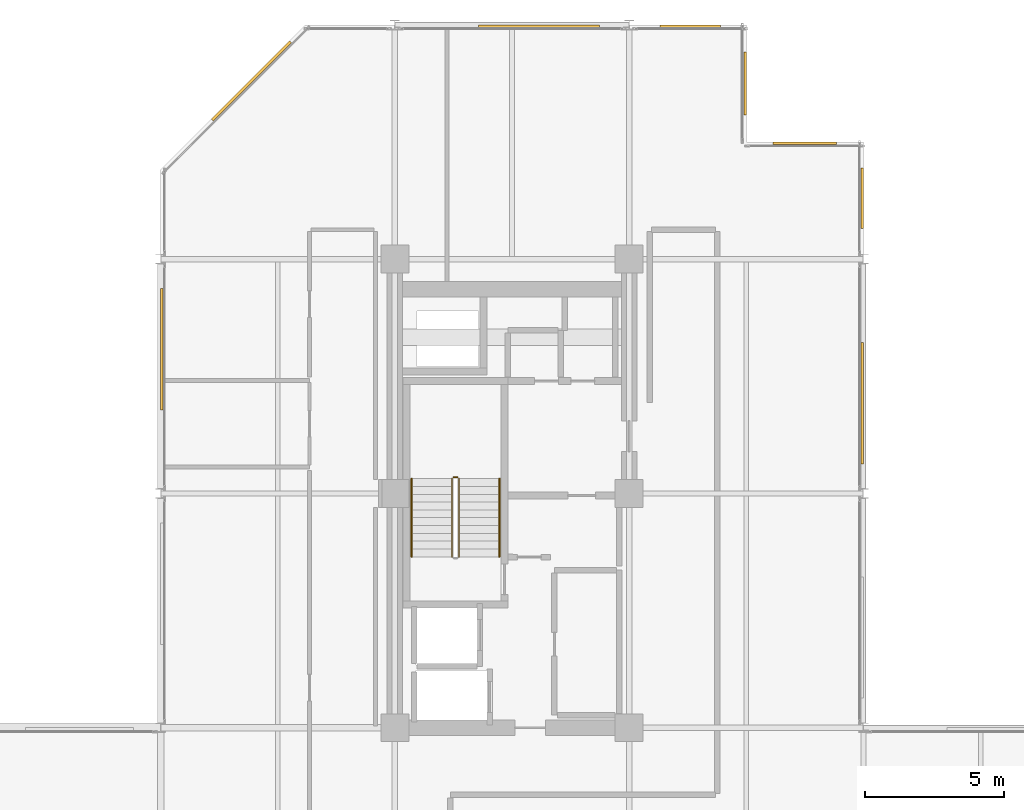
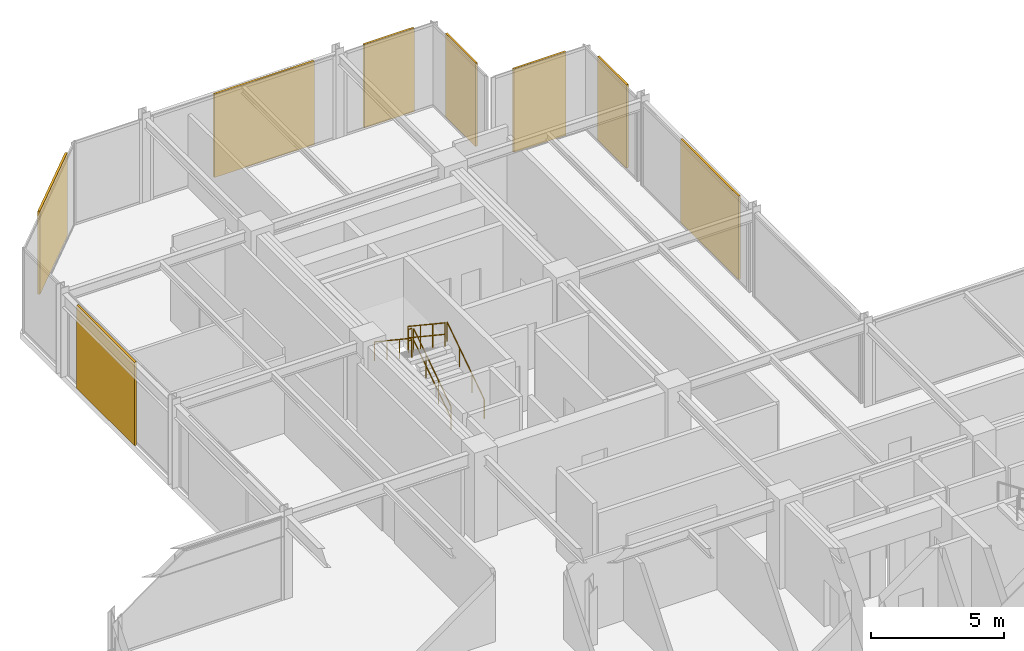
# One storey, part 29 of 29: 8 coverings, 5 railings.
"""IFC4 building model written with IfcOpenShell, lengths in metres."""

from ifc_helpers import new_model, si_unit, direction, frame, origin, origin_2d, place, context, subcontext, project, spatial, rectangle, circle, extrude, material, layer, layer_set, type_object, element, save


model = new_model("IFC4")

# Units and contexts
model_context = context("Model", 3, precision=1e-05, world=origin(), true_north=direction((0.0, 1.0)))
body_context = subcontext(model_context, "Body", "Model", "MODEL_VIEW")
ifc_project = project(units=[si_unit("LENGTHUNIT", "METRE"), si_unit("AREAUNIT", "SQUARE_METRE"), si_unit("VOLUMEUNIT", "CUBIC_METRE"), si_unit("PLANEANGLEUNIT", "RADIAN"), si_unit("MASSUNIT", "GRAM", prefix="KILO")], contexts=[model_context])

# Site, building, storey
site_placement = place(None, origin())
site = spatial("IfcSite", under=ifc_project, at=site_placement, CompositionType="ELEMENT")
building_placement = place(site_placement, origin())
building = spatial("IfcBuilding", under=site, at=building_placement, Name="Nerrivon Quay Data Exchange", CompositionType="ELEMENT")
storey_placement = place(building_placement, frame((0.0, 0.0, 175.5)))
storey = spatial("IfcBuildingStorey", under=building, at=storey_placement, Name="L41", CompositionType="ELEMENT", Elevation=175.5)

# Coverings
ifc_material_1 = material(Name="Architectural terracotta ceramic", Category="masonry")
ifc_layer = layer(ifc_material_1, 0.090087890625)
ifc_layer_set = layer_set([ifc_layer], Name="Architectural terracotta ceramic")
covering_type = type_object("IfcCoveringType", Name="COV-SCR-TERR", PredefinedType="CLADDING", material=ifc_layer_set)
covering_1_placement = place(storey_placement, frame((0.044921875, 38.76611328125, 0.0), z_axis=(0.0, 0.0, 1.0), x_axis=(0.0, 1.0, 0.0)))
element("IfcCovering", 1, at=covering_1_placement, inside=storey, type_object=covering_type, Name="L41 Perforated Terracotta SOLAR SCREEN Cassette", PredefinedType="CLADDING", context=body_context, shape_type="SweptSolid", body=[
    extrude(rectangle(XDim=4.346923828125, YDim=0.090087890625, at=origin_2d()), origin(), (0.0, 0.0, 1.0), 3.824951171875),
])
covering_2_placement = place(storey_placement, frame((3.255859375, 48.39208984375, 0.0), z_axis=(0.0, 0.0, 1.0), x_axis=(0.707106781187, 0.707106781187, 0.0)))
element("IfcCovering", 2, at=covering_2_placement, inside=storey, type_object=covering_type, Name="L41 Perforated Terracotta SOLAR SCREEN Cassette", PredefinedType="CLADDING", context=body_context, shape_type="SweptSolid", body=[
    extrude(rectangle(XDim=3.970947265625, YDim=0.090087890625, at=origin_2d()), origin(), (0.0, 0.0, 1.0), 3.824951171875),
])
covering_3_placement = place(storey_placement, frame((13.56591796875, 50.35498046875, 0.0), z_axis=(0.0, 0.0, 1.0), x_axis=(1.0, 0.0, 0.0)))
element("IfcCovering", 3, at=covering_3_placement, inside=storey, type_object=covering_type, Name="L41 Perforated Terracotta SOLAR SCREEN Cassette", PredefinedType="CLADDING", context=body_context, shape_type="SweptSolid", body=[
    extrude(rectangle(XDim=4.346923828125, YDim=0.090087890625, at=origin_2d()), origin(), (0.0, 0.0, 1.0), 3.824951171875),
])
covering_4_placement = place(storey_placement, frame((18.987548828125, 50.35498046875, 0.0), z_axis=(0.0, 0.0, 1.0), x_axis=(1.0, 0.0, 0.0)))
element("IfcCovering", 4, at=covering_4_placement, inside=storey, type_object=covering_type, Name="L41 Perforated Terracotta SOLAR SCREEN Cassette", PredefinedType="CLADDING", context=body_context, shape_type="SweptSolid", body=[
    extrude(rectangle(XDim=2.173095703125, YDim=0.090087890625, at=origin_2d()), origin(), (0.0, 0.0, 1.0), 3.824951171875),
])
for number, where, z_axis, x_axis, name in (
    (5, (20.955078125, 48.300048828125, 0.0), (0.0, 0.0, 1.0), (0.0, -1.0, 0.0), "L41 Perforated Terracotta SOLAR SCREEN Cassette"),
    (6, (23.10009765625, 46.155029296875, 0.0), (0.0, 0.0, 1.0), (1.0, 0.0, 0.0), "L41 Perforated Terracotta SOLAR SCREEN Cassette"),
):
    element("IfcCovering", number, at=place(storey_placement, frame(where, z_axis=z_axis, x_axis=x_axis)), inside=storey, type_object=covering_type, Name=name, PredefinedType="CLADDING", context=body_context, shape_type="SweptSolid", body=[
        extrude(rectangle(XDim=2.26806640625, YDim=0.090087890625, at=origin_2d()), origin(), (0.0, 0.0, 1.0), 3.824951171875),
    ])
covering_5_placement = place(storey_placement, frame((25.155029296875, 44.1875, 0.0), z_axis=(0.0, 0.0, 1.0), x_axis=(0.0, -1.0, 0.0)))
element("IfcCovering", 7, at=covering_5_placement, inside=storey, type_object=covering_type, Name="L41 Perforated Terracotta SOLAR SCREEN Cassette", PredefinedType="CLADDING", context=body_context, shape_type="SweptSolid", body=[
    extrude(rectangle(XDim=2.174072265625, YDim=0.090087890625, at=origin_2d()), origin(), (0.0, 0.0, 1.0), 3.824951171875),
])
covering_6_placement = place(storey_placement, frame((25.155029296875, 36.833984375, 0.0), z_axis=(0.0, 0.0, 1.0), x_axis=(0.0, -1.0, 0.0)))
element("IfcCovering", 8, at=covering_6_placement, inside=storey, type_object=covering_type, Name="L41 Perforated Terracotta SOLAR SCREEN Cassette", PredefinedType="CLADDING", context=body_context, shape_type="SweptSolid", body=[
    extrude(rectangle(XDim=4.346923828125, YDim=0.090087890625, at=origin_2d()), origin(), (0.0, 0.0, 1.0), 3.824951171875),
])

# Railings
ifc_material_2 = material(Name="Steel Grade C350L0 (350 MPa)", Category="steel")
railing_type_1 = type_object("IfcRailingType", Name="RAIL-HAND-HR1", PredefinedType="HANDRAIL", material=ifc_material_2)
railing_1_placement = place(storey_placement, frame((12.14990234375, 31.330078125, 0.186279296875)))
element("IfcRailing", 9, at=railing_1_placement, inside=storey, type_object=railing_type_1, Name="L41 ST01 stair handrail 1", PredefinedType="HANDRAIL", context=body_context, shape_type="SweptSolid", body=[
    extrude(circle(Radius=0.02392578125, at=origin_2d()), frame((0.0, 0.0, 0.8759765625), z_axis=(0.0, 0.832429786209, 0.554130536094), x_axis=(-1.0, 0.0, 0.0)), (0.0, 0.0, 1.0), 3.363525390625),
    extrude(circle(Radius=0.02099609375, at=origin_2d()), origin(), (0.0, 0.0, 1.0), 0.851806640625),
    extrude(circle(Radius=0.02099609375, at=origin_2d()), frame((0.0, 0.933349609375, 0.621337890625)), (0.0, 0.0, 1.0), 0.851806640625),
    extrude(circle(Radius=0.02099609375, at=origin_2d()), frame((0.0, 1.866455078125, 1.242431640625)), (0.0, 0.0, 1.0), 0.851806640625),
    extrude(circle(Radius=0.02099609375, at=origin_2d()), frame((0.0, 2.7998046875, 1.86376953125)), (0.0, 0.0, 1.0), 0.851806640625),
])
railing_2_placement = place(storey_placement, frame((9.0, 34.1298828125, 2.236328125)))
element("IfcRailing", 10, at=railing_2_placement, inside=storey, type_object=railing_type_1, Name="L41 ST01 stair handrail 2", PredefinedType="HANDRAIL", context=body_context, shape_type="SweptSolid", body=[
    extrude(circle(Radius=0.02392578125, at=origin_2d()), frame((0.0, 0.0, 0.8759765625), z_axis=(0.0, -0.832429786209, 0.554130536094), x_axis=(1.0, 0.0, 0.0)), (0.0, 0.0, 1.0), 3.363525390625),
    extrude(circle(Radius=0.02099609375, at=origin_2d()), origin(), (0.0, 0.0, 1.0), 0.851806640625),
    extrude(circle(Radius=0.02099609375, at=origin_2d()), frame((0.0, -0.933349609375, 0.621337890625)), (0.0, 0.0, 1.0), 0.851806640625),
    extrude(circle(Radius=0.02099609375, at=origin_2d()), frame((0.0, -1.866455078125, 1.242431640625)), (0.0, 0.0, 1.0), 0.851806640625),
    extrude(circle(Radius=0.02099609375, at=origin_2d()), frame((0.0, -2.7998046875, 1.86376953125)), (0.0, 0.0, 1.0), 0.851806640625),
])
railing_type_2 = type_object("IfcRailingType", Name="RAIL-STAIR-GR1", PredefinedType="BALUSTRADE", material=ifc_material_2)
railing_3_placement = place(storey_placement, frame((10.699951171875, 31.330078125, 0.186279296875)))
element("IfcRailing", 11, at=railing_3_placement, inside=storey, type_object=railing_type_2, Name="L41 ST01 stair guard 1", PredefinedType="BALUSTRADE", context=body_context, shape_type="SweptSolid", body=[
    extrude(circle(Radius=0.02392578125, at=origin_2d()), frame((0.0, 0.0, 1.076171875), z_axis=(0.0, 0.832429786209, 0.554130536094), x_axis=(-1.0, 0.0, 0.0)), (0.0, 0.0, 1.0), 3.363525390625),
    extrude(circle(Radius=0.02392578125, at=origin_2d()), frame((0.0, 0.0, 0.550048828125), z_axis=(0.0, 0.832429786209, 0.554130536094), x_axis=(-1.0, 0.0, 0.0)), (0.0, 0.0, 1.0), 3.363525390625),
    extrude(circle(Radius=0.02099609375, at=origin_2d()), origin(), (0.0, 0.0, 1.0), 1.052001953125),
    extrude(circle(Radius=0.02099609375, at=origin_2d()), frame((0.0, 0.933349609375, 0.621337890625)), (0.0, 0.0, 1.0), 1.052001953125),
    extrude(circle(Radius=0.02099609375, at=origin_2d()), frame((0.0, 1.866455078125, 1.242431640625)), (0.0, 0.0, 1.0), 1.052001953125),
    extrude(circle(Radius=0.02099609375, at=origin_2d()), frame((0.0, 2.7998046875, 1.86376953125)), (0.0, 0.0, 1.0), 1.052001953125),
])
railing_4_placement = place(storey_placement, frame((10.64990234375, 34.179931640625, 2.050048828125)))
element("IfcRailing", 12, at=railing_4_placement, inside=storey, type_object=railing_type_2, Name="L41 ST01 stair guard 2", PredefinedType="BALUSTRADE", context=body_context, shape_type="SweptSolid", body=[
    extrude(circle(Radius=0.02392578125, at=origin_2d()), frame((0.0, 0.0, 1.076171875), z_axis=(-1.0, 0.0, 0.0), x_axis=(0.0, -1.0, 0.0)), (0.0, 0.0, 1.0), 0.14990234375),
    extrude(circle(Radius=0.02392578125, at=origin_2d()), frame((0.0, 0.0, 0.550048828125), z_axis=(-1.0, 0.0, 0.0), x_axis=(0.0, -1.0, 0.0)), (0.0, 0.0, 1.0), 0.14990234375),
    extrude(circle(Radius=0.02099609375, at=origin_2d()), origin(), (0.0, 0.0, 1.0), 1.052001953125),
    extrude(circle(Radius=0.02099609375, at=origin_2d()), frame((-0.14990234375, 0.0, 0.0)), (0.0, 0.0, 1.0), 1.052001953125),
])
railing_5_placement = place(storey_placement, frame((10.449951171875, 34.1298828125, 2.236328125)))
element("IfcRailing", 13, at=railing_5_placement, inside=storey, type_object=railing_type_2, Name="L41 ST01 stair guard 3", PredefinedType="BALUSTRADE", context=body_context, shape_type="SweptSolid", body=[
    extrude(circle(Radius=0.02392578125, at=origin_2d()), frame((0.0, 0.0, 1.076171875), z_axis=(0.0, -0.832429786209, 0.554130536094), x_axis=(1.0, 0.0, 0.0)), (0.0, 0.0, 1.0), 3.363525390625),
    extrude(circle(Radius=0.02392578125, at=origin_2d()), frame((0.0, 0.0, 0.550048828125), z_axis=(0.0, -0.832429786209, 0.554130536094), x_axis=(1.0, 0.0, 0.0)), (0.0, 0.0, 1.0), 3.363525390625),
    extrude(circle(Radius=0.02099609375, at=origin_2d()), origin(), (0.0, 0.0, 1.0), 1.052001953125),
    extrude(circle(Radius=0.02099609375, at=origin_2d()), frame((0.0, -0.933349609375, 0.621337890625)), (0.0, 0.0, 1.0), 1.052001953125),
    extrude(circle(Radius=0.02099609375, at=origin_2d()), frame((0.0, -1.866455078125, 1.242431640625)), (0.0, 0.0, 1.0), 1.052001953125),
    extrude(circle(Radius=0.02099609375, at=origin_2d()), frame((0.0, -2.7998046875, 1.86376953125)), (0.0, 0.0, 1.0), 1.052001953125),
])

save(model, "model.ifc")
